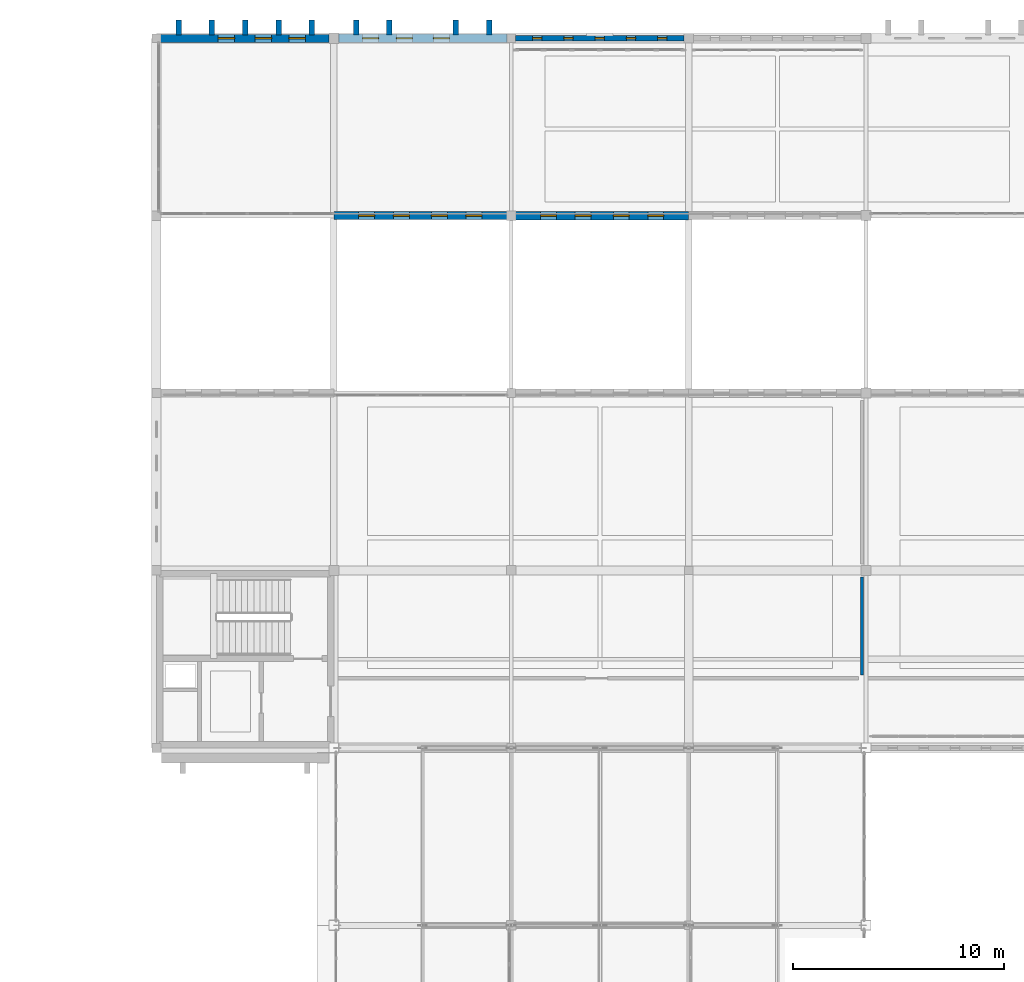
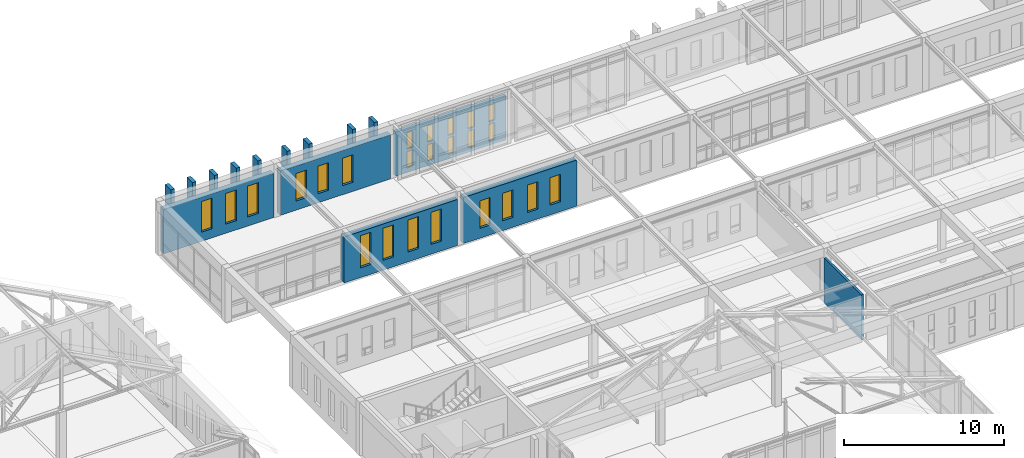
# One storey, part 168 of 192: 24 windows, 15 walls, 24 openings.
"""IFC4 building model written with IfcOpenShell, lengths in metres."""

from ifc_helpers import new_model, si_unit, direction, frame, frame_2d, origin, place, context, subcontext, project, spatial, rectangle, extrude, material, layer, layer_set, type_object, element, fill, save


model = new_model("IFC4")

# Units and contexts
model_context = context("Model", 3, precision=1e-05, world=origin(), true_north=direction((0.0, 1.0)))
body_context = subcontext(model_context, "Body", "Model", "MODEL_VIEW")
ifc_project = project(units=[si_unit("LENGTHUNIT", "METRE"), si_unit("AREAUNIT", "SQUARE_METRE"), si_unit("VOLUMEUNIT", "CUBIC_METRE"), si_unit("PLANEANGLEUNIT", "RADIAN"), si_unit("MASSUNIT", "GRAM", prefix="KILO")], contexts=[model_context])

# Site, building, storey
site_placement = place(None, origin())
site = spatial("IfcSite", under=ifc_project, at=site_placement, CompositionType="ELEMENT")
building_placement = place(site_placement, origin())
building = spatial("IfcBuilding", under=site, at=building_placement, Name="Kveldsbrygga Polytechnic", CompositionType="ELEMENT")
storey_placement = place(building_placement, frame((0.0, 0.0, 5.43994140625)))
storey = spatial("IfcBuildingStorey", under=building, at=storey_placement, Name="L01", CompositionType="ELEMENT", Elevation=5.43994140625)

# Wall, openings, windows
ifc_material_1 = material(Name="Fired clay brick masonry M10", Category="masonry")
ifc_layer_1 = layer(ifc_material_1, 0.3798828125)
ifc_layer_set_1 = layer_set([ifc_layer_1], Name="Fired clay brick masonry M10")
wall_type_1 = type_object("IfcWallType", Name="EW-BRICK-380", PredefinedType="SOLIDWALL", material=ifc_layer_set_1)
wall_1_placement = place(storey_placement, frame((42.195068359375, 117.60009765625, 0.0), z_axis=(0.0, 0.0, 1.0), x_axis=(1.0, 0.0, 0.0)))
wall_1 = element("IfcWall", 1, at=wall_1_placement, inside=storey, type_object=wall_type_1, Name="Exterior Brick Wall EW-L01-X-05-14", PredefinedType="SOLIDWALL", context=body_context, shape_type="SweptSolid", body=[
    extrude(rectangle(XDim=7.97998046875, YDim=0.3798828125, at=frame_2d((3.989990234375, 0.0))), origin(), (0.0, 0.0, 1.0), 3.380126953125),
])
opening_1_placement = place(wall_1_placement, frame((2.72216796875, 0.0, 0.699951171875)))
opening_1 = element("IfcOpeningElement", 2, at=opening_1_placement, cuts=wall_1, Name="Opening W-08", PredefinedType="OPENING", context=body_context, shape_type="SweptSolid", body=[
    extrude(rectangle(XDim=0.780029296875, YDim=2.35009765625, at=frame_2d((0.39013671875, 1.175048828125))), frame((0.0, 0.199951171875, 0.0), z_axis=(0.0, -1.0, 0.0), x_axis=(1.0, 0.0, 0.0)), (0.0, 0.0, 1.0), 0.39990234375),
])
opening_2_placement = place(wall_1_placement, frame((4.477783203125, 0.0, 0.699951171875)))
opening_2 = element("IfcOpeningElement", 3, at=opening_2_placement, cuts=wall_1, Name="Opening W-08", PredefinedType="OPENING", context=body_context, shape_type="SweptSolid", body=[
    extrude(rectangle(XDim=0.780029296875, YDim=2.35009765625, at=frame_2d((0.39013671875, 1.175048828125))), frame((0.0, 0.199951171875, 0.0), z_axis=(0.0, -1.0, 0.0), x_axis=(1.0, 0.0, 0.0)), (0.0, 0.0, 1.0), 0.39990234375),
])
opening_3_placement = place(wall_1_placement, frame((6.07373046875, 0.0, 0.699951171875)))
opening_3 = element("IfcOpeningElement", 4, at=opening_3_placement, cuts=wall_1, Name="Opening W-08", PredefinedType="OPENING", context=body_context, shape_type="SweptSolid", body=[
    extrude(rectangle(XDim=0.780029296875, YDim=2.35009765625, at=frame_2d((0.39013671875, 1.175048828125))), frame((0.0, 0.199951171875, 0.0), z_axis=(0.0, -1.0, 0.0), x_axis=(1.0, 0.0, 0.0)), (0.0, 0.0, 1.0), 0.39990234375),
])
ifc_material_2 = material(Name="Insulated triple low-E glass", Category="glass")
window_type_1 = type_object("IfcWindowType", Name="WN-LANC-078x235", PartitioningType="DOUBLE_PANEL_VERTICAL", PredefinedType="WINDOW", material=ifc_material_2)
window_1_placement = place(opening_1_placement, origin())
window_1 = element("IfcWindow", 5, at=window_1_placement, inside=storey, type_object=window_type_1, Name="Gothic Lancet Window WIN-L01-X-05-14-2", OverallHeight=2.35009765625, OverallWidth=0.780029296875, PartitioningType="DOUBLE_PANEL_VERTICAL", PredefinedType="WINDOW", context=body_context, shape_type="SweptSolid", body=[
    extrude(rectangle(XDim=0.780029296875, YDim=2.35009765625, at=frame_2d((0.39013671875, 1.175048828125))), frame((0.0, 0.030029296875, 0.0), z_axis=(0.0, -1.0, 0.0), x_axis=(1.0, 0.0, 0.0)), (0.0, 0.0, 1.0), 0.06005859375),
])
fill(opening_1, window_1)
window_2_placement = place(opening_2_placement, origin())
window_2 = element("IfcWindow", 6, at=window_2_placement, inside=storey, type_object=window_type_1, Name="Gothic Lancet Window WIN-L01-X-05-14-3", OverallHeight=2.35009765625, OverallWidth=0.780029296875, PartitioningType="DOUBLE_PANEL_VERTICAL", PredefinedType="WINDOW", context=body_context, shape_type="SweptSolid", body=[
    extrude(rectangle(XDim=0.780029296875, YDim=2.35009765625, at=frame_2d((0.39013671875, 1.175048828125))), frame((0.0, 0.030029296875, 0.0), z_axis=(0.0, -1.0, 0.0), x_axis=(1.0, 0.0, 0.0)), (0.0, 0.0, 1.0), 0.06005859375),
])
fill(opening_2, window_2)
window_3_placement = place(opening_3_placement, origin())
window_3 = element("IfcWindow", 7, at=window_3_placement, inside=storey, type_object=window_type_1, Name="Gothic Lancet Window WIN-L01-X-05-14-4", OverallHeight=2.35009765625, OverallWidth=0.780029296875, PartitioningType="DOUBLE_PANEL_VERTICAL", PredefinedType="WINDOW", context=body_context, shape_type="SweptSolid", body=[
    extrude(rectangle(XDim=0.780029296875, YDim=2.35009765625, at=frame_2d((0.39013671875, 1.175048828125))), frame((0.0, 0.030029296875, 0.0), z_axis=(0.0, -1.0, 0.0), x_axis=(1.0, 0.0, 0.0)), (0.0, 0.0, 1.0), 0.06005859375),
])
fill(opening_3, window_3)

wall_2_placement = place(storey_placement, frame((50.39990234375, 109.199951171875, 0.0), z_axis=(0.0, 0.0, 1.0), x_axis=(1.0, 0.0, 0.0)))
wall_2 = element("IfcWall", 8, at=wall_2_placement, inside=storey, type_object=wall_type_1, Name="Exterior Brick Wall EW-L01-X-06-13", PredefinedType="SOLIDWALL", context=body_context, shape_type="SweptSolid", body=[
    extrude(rectangle(XDim=8.190185546875, YDim=0.3798828125, at=frame_2d((4.09521484375, 0.0))), origin(), (0.0, 0.0, 1.0), 3.52001953125),
])
opening_4_placement = place(wall_2_placement, frame((1.176025390625, 0.0, 0.75)))
opening_4 = element("IfcOpeningElement", 9, at=opening_4_placement, cuts=wall_2, Name="Opening W-06", PredefinedType="OPENING", context=body_context, shape_type="SweptSolid", body=[
    extrude(rectangle(XDim=0.760009765625, YDim=2.449951171875, at=frame_2d((0.3798828125, 1.22509765625))), frame((0.0, 0.199951171875, 0.0), z_axis=(0.0, -1.0, 0.0), x_axis=(1.0, 0.0, 0.0)), (0.0, 0.0, 1.0), 0.39990234375),
])
opening_5_placement = place(wall_2_placement, frame((2.814208984375, 0.0, 0.75)))
opening_5 = element("IfcOpeningElement", 10, at=opening_5_placement, cuts=wall_2, Name="Opening W-06", PredefinedType="OPENING", context=body_context, shape_type="SweptSolid", body=[
    extrude(rectangle(XDim=0.760009765625, YDim=2.449951171875, at=frame_2d((0.3798828125, 1.22509765625))), frame((0.0, 0.199951171875, 0.0), z_axis=(0.0, -1.0, 0.0), x_axis=(1.0, 0.0, 0.0)), (0.0, 0.0, 1.0), 0.39990234375),
])
opening_6_placement = place(wall_2_placement, frame((4.615966796875, 0.0, 0.75)))
opening_6 = element("IfcOpeningElement", 11, at=opening_6_placement, cuts=wall_2, Name="Opening W-06", PredefinedType="OPENING", context=body_context, shape_type="SweptSolid", body=[
    extrude(rectangle(XDim=0.760009765625, YDim=2.449951171875, at=frame_2d((0.3798828125, 1.22509765625))), frame((0.0, 0.199951171875, 0.0), z_axis=(0.0, -1.0, 0.0), x_axis=(1.0, 0.0, 0.0)), (0.0, 0.0, 1.0), 0.39990234375),
])
opening_7_placement = place(wall_2_placement, frame((6.25390625, 0.0, 0.75)))
opening_7 = element("IfcOpeningElement", 12, at=opening_7_placement, cuts=wall_2, Name="Opening W-06", PredefinedType="OPENING", context=body_context, shape_type="SweptSolid", body=[
    extrude(rectangle(XDim=0.760009765625, YDim=2.449951171875, at=frame_2d((0.3798828125, 1.22509765625))), frame((0.0, 0.199951171875, 0.0), z_axis=(0.0, -1.0, 0.0), x_axis=(1.0, 0.0, 0.0)), (0.0, 0.0, 1.0), 0.39990234375),
])
window_type_2 = type_object("IfcWindowType", Name="WN-LANC-076x245", PartitioningType="DOUBLE_PANEL_VERTICAL", PredefinedType="WINDOW", material=ifc_material_2)
window_4_placement = place(opening_4_placement, origin())
window_4 = element("IfcWindow", 13, at=window_4_placement, inside=storey, type_object=window_type_2, Name="Gothic Lancet Window WIN-L01-X-06-13-1", OverallHeight=2.449951171875, OverallWidth=0.760009765625, PartitioningType="DOUBLE_PANEL_VERTICAL", PredefinedType="WINDOW", context=body_context, shape_type="SweptSolid", body=[
    extrude(rectangle(XDim=0.760009765625, YDim=2.449951171875, at=frame_2d((0.3798828125, 1.22509765625))), frame((0.0, 0.030029296875, 0.0), z_axis=(0.0, -1.0, 0.0), x_axis=(1.0, 0.0, 0.0)), (0.0, 0.0, 1.0), 0.06005859375),
])
fill(opening_4, window_4)
window_5_placement = place(opening_5_placement, origin())
window_5 = element("IfcWindow", 14, at=window_5_placement, inside=storey, type_object=window_type_2, Name="Gothic Lancet Window WIN-L01-X-06-13-2", OverallHeight=2.449951171875, OverallWidth=0.760009765625, PartitioningType="DOUBLE_PANEL_VERTICAL", PredefinedType="WINDOW", context=body_context, shape_type="SweptSolid", body=[
    extrude(rectangle(XDim=0.760009765625, YDim=2.449951171875, at=frame_2d((0.3798828125, 1.22509765625))), frame((0.0, 0.030029296875, 0.0), z_axis=(0.0, -1.0, 0.0), x_axis=(1.0, 0.0, 0.0)), (0.0, 0.0, 1.0), 0.06005859375),
])
fill(opening_5, window_5)
window_6_placement = place(opening_6_placement, origin())
window_6 = element("IfcWindow", 15, at=window_6_placement, inside=storey, type_object=window_type_2, Name="Gothic Lancet Window WIN-L01-X-06-13-3", OverallHeight=2.449951171875, OverallWidth=0.760009765625, PartitioningType="DOUBLE_PANEL_VERTICAL", PredefinedType="WINDOW", context=body_context, shape_type="SweptSolid", body=[
    extrude(rectangle(XDim=0.760009765625, YDim=2.449951171875, at=frame_2d((0.3798828125, 1.22509765625))), frame((0.0, 0.030029296875, 0.0), z_axis=(0.0, -1.0, 0.0), x_axis=(1.0, 0.0, 0.0)), (0.0, 0.0, 1.0), 0.06005859375),
])
fill(opening_6, window_6)
window_7_placement = place(opening_7_placement, origin())
window_7 = element("IfcWindow", 16, at=window_7_placement, inside=storey, type_object=window_type_2, Name="Gothic Lancet Window WIN-L01-X-06-13-4", OverallHeight=2.449951171875, OverallWidth=0.760009765625, PartitioningType="DOUBLE_PANEL_VERTICAL", PredefinedType="WINDOW", context=body_context, shape_type="SweptSolid", body=[
    extrude(rectangle(XDim=0.760009765625, YDim=2.449951171875, at=frame_2d((0.3798828125, 1.22509765625))), frame((0.0, 0.030029296875, 0.0), z_axis=(0.0, -1.0, 0.0), x_axis=(1.0, 0.0, 0.0)), (0.0, 0.0, 1.0), 0.06005859375),
])
fill(opening_7, window_7)

ifc_layer_2 = layer(ifc_material_1, 0.39990234375)
ifc_layer_set_2 = layer_set([ifc_layer_2], Name="Fired clay brick masonry M10")
wall_type_2 = type_object("IfcWallType", Name="EW-BRICK-400", PredefinedType="SOLIDWALL", material=ifc_layer_set_2)
wall_3_placement = place(storey_placement, frame((50.625, 117.60009765625, 0.0), z_axis=(0.0, 0.0, 1.0), x_axis=(1.0, 0.0, 0.0)))
wall_3 = element("IfcWall", 17, at=wall_3_placement, inside=storey, type_object=wall_type_2, Name="Exterior Brick Wall EW-L01-X-06-14", PredefinedType="SOLIDWALL", context=body_context, shape_type="SweptSolid", body=[
    extrude(rectangle(XDim=7.97998046875, YDim=0.39990234375, at=frame_2d((3.989990234375, 0.0))), origin(), (0.0, 0.0, 1.0), 3.380126953125),
])
opening_8_placement = place(wall_3_placement, frame((1.14111328125, 0.0, 0.699951171875)))
opening_8 = element("IfcOpeningElement", 18, at=opening_8_placement, cuts=wall_3, Name="Opening W-27", PredefinedType="OPENING", context=body_context, shape_type="SweptSolid", body=[
    extrude(rectangle(XDim=0.75, YDim=2.10009765625, at=frame_2d((0.375, 1.050048828125))), frame((0.0, 0.2099609375, 0.0), z_axis=(0.0, -1.0, 0.0), x_axis=(1.0, 0.0, 0.0)), (0.0, 0.0, 1.0), 0.419921875),
])
opening_9_placement = place(wall_3_placement, frame((2.7373046875, 0.0, 0.699951171875)))
opening_9 = element("IfcOpeningElement", 19, at=opening_9_placement, cuts=wall_3, Name="Opening W-27", PredefinedType="OPENING", context=body_context, shape_type="SweptSolid", body=[
    extrude(rectangle(XDim=0.75, YDim=2.10009765625, at=frame_2d((0.375, 1.050048828125))), frame((0.0, 0.2099609375, 0.0), z_axis=(0.0, -1.0, 0.0), x_axis=(1.0, 0.0, 0.0)), (0.0, 0.0, 1.0), 0.419921875),
])
opening_10_placement = place(wall_3_placement, frame((4.492919921875, 0.0, 0.699951171875)))
opening_10 = element("IfcOpeningElement", 20, at=opening_10_placement, cuts=wall_3, Name="Opening W-27", PredefinedType="OPENING", context=body_context, shape_type="SweptSolid", body=[
    extrude(rectangle(XDim=0.75, YDim=2.10009765625, at=frame_2d((0.375, 1.050048828125))), frame((0.0, 0.2099609375, 0.0), z_axis=(0.0, -1.0, 0.0), x_axis=(1.0, 0.0, 0.0)), (0.0, 0.0, 1.0), 0.419921875),
])
window_type_3 = type_object("IfcWindowType", Name="WN-ATTIC-075x210", PartitioningType="DOUBLE_PANEL_VERTICAL", PredefinedType="WINDOW", material=ifc_material_2)
window_8_placement = place(opening_8_placement, origin())
window_8 = element("IfcWindow", 21, at=window_8_placement, inside=storey, type_object=window_type_3, Name="Gothic Lancet Window WIN-L01-X-06-14-1", OverallHeight=2.10009765625, OverallWidth=0.75, PartitioningType="DOUBLE_PANEL_VERTICAL", PredefinedType="WINDOW", context=body_context, shape_type="SweptSolid", body=[
    extrude(rectangle(XDim=0.75, YDim=2.10009765625, at=frame_2d((0.375, 1.050048828125))), frame((0.0, 0.030029296875, 0.0), z_axis=(0.0, -1.0, 0.0), x_axis=(1.0, 0.0, 0.0)), (0.0, 0.0, 1.0), 0.06005859375),
])
fill(opening_8, window_8)
window_9_placement = place(opening_9_placement, origin())
window_9 = element("IfcWindow", 22, at=window_9_placement, inside=storey, type_object=window_type_3, Name="Gothic Lancet Window WIN-L01-X-06-14-2", OverallHeight=2.10009765625, OverallWidth=0.75, PartitioningType="DOUBLE_PANEL_VERTICAL", PredefinedType="WINDOW", context=body_context, shape_type="SweptSolid", body=[
    extrude(rectangle(XDim=0.75, YDim=2.10009765625, at=frame_2d((0.375, 1.050048828125))), frame((0.0, 0.030029296875, 0.0), z_axis=(0.0, -1.0, 0.0), x_axis=(1.0, 0.0, 0.0)), (0.0, 0.0, 1.0), 0.06005859375),
])
fill(opening_9, window_9)
window_10_placement = place(opening_10_placement, origin())
window_10 = element("IfcWindow", 23, at=window_10_placement, inside=storey, type_object=window_type_3, Name="Gothic Lancet Window WIN-L01-X-06-14-3", OverallHeight=2.10009765625, OverallWidth=0.75, PartitioningType="DOUBLE_PANEL_VERTICAL", PredefinedType="WINDOW", context=body_context, shape_type="SweptSolid", body=[
    extrude(rectangle(XDim=0.75, YDim=2.10009765625, at=frame_2d((0.375, 1.050048828125))), frame((0.0, 0.030029296875, 0.0), z_axis=(0.0, -1.0, 0.0), x_axis=(1.0, 0.0, 0.0)), (0.0, 0.0, 1.0), 0.06005859375),
])
fill(opening_10, window_10)

wall_4_placement = place(storey_placement, frame((59.010009765625, 109.199951171875, 0.0), z_axis=(0.0, 0.0, 1.0), x_axis=(1.0, 0.0, 0.0)))
wall_4 = element("IfcWall", 24, at=wall_4_placement, inside=storey, type_object=wall_type_2, Name="Exterior Brick Wall EW-L01-X-07-13", PredefinedType="SOLIDWALL", context=body_context, shape_type="SweptSolid", body=[
    extrude(rectangle(XDim=8.18994140625, YDim=0.39990234375, at=frame_2d((4.094970703125, 0.0))), origin(), (0.0, 0.0, 1.0), 3.52001953125),
])
opening_11_placement = place(wall_4_placement, frame((1.18115234375, 0.0, 0.75)))
opening_11 = element("IfcOpeningElement", 25, at=opening_11_placement, cuts=wall_4, Name="Opening W-27", PredefinedType="OPENING", context=body_context, shape_type="SweptSolid", body=[
    extrude(rectangle(XDim=0.75, YDim=2.10009765625, at=frame_2d((0.375, 1.050048828125))), frame((0.0, 0.2099609375, 0.0), z_axis=(0.0, -1.0, 0.0), x_axis=(1.0, 0.0, 0.0)), (0.0, 0.0, 1.0), 0.419921875),
])
opening_12_placement = place(wall_4_placement, frame((2.819091796875, 0.0, 0.75)))
opening_12 = element("IfcOpeningElement", 26, at=opening_12_placement, cuts=wall_4, Name="Opening W-27", PredefinedType="OPENING", context=body_context, shape_type="SweptSolid", body=[
    extrude(rectangle(XDim=0.75, YDim=2.10009765625, at=frame_2d((0.375, 1.050048828125))), frame((0.0, 0.2099609375, 0.0), z_axis=(0.0, -1.0, 0.0), x_axis=(1.0, 0.0, 0.0)), (0.0, 0.0, 1.0), 0.419921875),
])
opening_13_placement = place(wall_4_placement, frame((4.620849609375, 0.0, 0.75)))
opening_13 = element("IfcOpeningElement", 27, at=opening_13_placement, cuts=wall_4, Name="Opening W-27", PredefinedType="OPENING", context=body_context, shape_type="SweptSolid", body=[
    extrude(rectangle(XDim=0.75, YDim=2.10009765625, at=frame_2d((0.375, 1.050048828125))), frame((0.0, 0.2099609375, 0.0), z_axis=(0.0, -1.0, 0.0), x_axis=(1.0, 0.0, 0.0)), (0.0, 0.0, 1.0), 0.419921875),
])
opening_14_placement = place(wall_4_placement, frame((6.2587890625, 0.0, 0.75)))
opening_14 = element("IfcOpeningElement", 28, at=opening_14_placement, cuts=wall_4, Name="Opening W-27", PredefinedType="OPENING", context=body_context, shape_type="SweptSolid", body=[
    extrude(rectangle(XDim=0.75, YDim=2.10009765625, at=frame_2d((0.375, 1.050048828125))), frame((0.0, 0.2099609375, 0.0), z_axis=(0.0, -1.0, 0.0), x_axis=(1.0, 0.0, 0.0)), (0.0, 0.0, 1.0), 0.419921875),
])
window_11_placement = place(opening_11_placement, origin())
window_11 = element("IfcWindow", 29, at=window_11_placement, inside=storey, type_object=window_type_3, Name="Gothic Lancet Window WIN-L01-X-07-13-1", OverallHeight=2.10009765625, OverallWidth=0.75, PartitioningType="DOUBLE_PANEL_VERTICAL", PredefinedType="WINDOW", context=body_context, shape_type="SweptSolid", body=[
    extrude(rectangle(XDim=0.75, YDim=2.10009765625, at=frame_2d((0.375, 1.050048828125))), frame((0.0, 0.030029296875, 0.0), z_axis=(0.0, -1.0, 0.0), x_axis=(1.0, 0.0, 0.0)), (0.0, 0.0, 1.0), 0.06005859375),
])
fill(opening_11, window_11)
window_12_placement = place(opening_12_placement, origin())
window_12 = element("IfcWindow", 30, at=window_12_placement, inside=storey, type_object=window_type_3, Name="Gothic Lancet Window WIN-L01-X-07-13-2", OverallHeight=2.10009765625, OverallWidth=0.75, PartitioningType="DOUBLE_PANEL_VERTICAL", PredefinedType="WINDOW", context=body_context, shape_type="SweptSolid", body=[
    extrude(rectangle(XDim=0.75, YDim=2.10009765625, at=frame_2d((0.375, 1.050048828125))), frame((0.0, 0.030029296875, 0.0), z_axis=(0.0, -1.0, 0.0), x_axis=(1.0, 0.0, 0.0)), (0.0, 0.0, 1.0), 0.06005859375),
])
fill(opening_12, window_12)
window_13_placement = place(opening_13_placement, origin())
window_13 = element("IfcWindow", 31, at=window_13_placement, inside=storey, type_object=window_type_3, Name="Gothic Lancet Window WIN-L01-X-07-13-3", OverallHeight=2.10009765625, OverallWidth=0.75, PartitioningType="DOUBLE_PANEL_VERTICAL", PredefinedType="WINDOW", context=body_context, shape_type="SweptSolid", body=[
    extrude(rectangle(XDim=0.75, YDim=2.10009765625, at=frame_2d((0.375, 1.050048828125))), frame((0.0, 0.030029296875, 0.0), z_axis=(0.0, -1.0, 0.0), x_axis=(1.0, 0.0, 0.0)), (0.0, 0.0, 1.0), 0.06005859375),
])
fill(opening_13, window_13)
window_14_placement = place(opening_14_placement, origin())
window_14 = element("IfcWindow", 32, at=window_14_placement, inside=storey, type_object=window_type_3, Name="Gothic Lancet Window WIN-L01-X-07-13-4", OverallHeight=2.10009765625, OverallWidth=0.75, PartitioningType="DOUBLE_PANEL_VERTICAL", PredefinedType="WINDOW", context=body_context, shape_type="SweptSolid", body=[
    extrude(rectangle(XDim=0.75, YDim=2.10009765625, at=frame_2d((0.375, 1.050048828125))), frame((0.0, 0.030029296875, 0.0), z_axis=(0.0, -1.0, 0.0), x_axis=(1.0, 0.0, 0.0)), (0.0, 0.0, 1.0), 0.06005859375),
])
fill(opening_14, window_14)

# Walls
ifc_layer_3 = layer(ifc_material_1, 0.260009765625)
ifc_layer_set_3 = layer_set([ifc_layer_3], Name="Fired clay brick masonry M10")
wall_type_3 = type_object("IfcWallType", Name="EW-BUTT-260", PredefinedType="SOLIDWALL", material=ifc_layer_set_3)
for number, where, z_axis, x_axis, name in (
    (33, (43.050048828125, 117.764892578125, 0.0), (0.0, 0.0, 1.0), (0.0, 1.0, 0.0), "Gothic Brick Buttress Pier BUTT-L01-X-05-14-1"),
    (34, (44.6201171875, 117.764892578125, 0.0), (0.0, 0.0, 1.0), (0.0, 1.0, 0.0), "Gothic Brick Buttress Pier BUTT-L01-X-05-14-2"),
    (35, (46.199951171875, 117.764892578125, 0.0), (0.0, 0.0, 1.0), (0.0, 1.0, 0.0), "Gothic Brick Buttress Pier BUTT-L01-X-05-14-3"),
    (36, (47.780029296875, 117.764892578125, 0.0), (0.0, 0.0, 1.0), (0.0, 1.0, 0.0), "Gothic Brick Buttress Pier BUTT-L01-X-05-14-4"),
    (37, (49.35009765625, 117.764892578125, 0.0), (0.0, 0.0, 1.0), (0.0, 1.0, 0.0), "Gothic Brick Buttress Pier BUTT-L01-X-05-14-5"),
    (38, (51.449951171875, 117.764892578125, 0.0), (0.0, 0.0, 1.0), (0.0, 1.0, 0.0), "Gothic Brick Buttress Pier BUTT-L01-X-06-14-1"),
    (39, (53.02001953125, 117.764892578125, 0.0), (0.0, 0.0, 1.0), (0.0, 1.0, 0.0), "Gothic Brick Buttress Pier BUTT-L01-X-06-14-2"),
    (40, (56.179931640625, 117.764892578125, 0.0), (0.0, 0.0, 1.0), (0.0, 1.0, 0.0), "Gothic Brick Buttress Pier BUTT-L01-X-06-14-4"),
    (41, (57.75, 117.764892578125, 0.0), (0.0, 0.0, 1.0), (0.0, 1.0, 0.0), "Gothic Brick Buttress Pier BUTT-L01-X-06-14-5"),
):
    element("IfcWall", number, at=place(storey_placement, frame(where, z_axis=z_axis, x_axis=x_axis)), inside=storey, type_object=wall_type_3, Name=name, PredefinedType="SOLIDWALL", context=body_context, shape_type="SweptSolid", body=[
        extrude(rectangle(XDim=0.7001953125, YDim=0.260009765625, at=frame_2d((0.35009765625, 0.0))), origin(), (0.0, 0.0, 1.0), 4.420166015625),
    ])

# Wall, openings, windows
ifc_layer_4 = layer(ifc_material_1, 0.239990234375)
ifc_layer_set_4 = layer_set([ifc_layer_4], Name="Fired clay brick masonry M10")
wall_type_4 = type_object("IfcWallType", Name="EW-SCRN-240", PredefinedType="SOLIDWALL", material=ifc_layer_set_4)
wall_5_placement = place(storey_placement, frame((58.9951171875, 117.60009765625, 0.0), z_axis=(0.0, 0.0, 1.0), x_axis=(1.0, 0.0, 0.0)))
wall_5 = element("IfcWall", 42, at=wall_5_placement, inside=storey, type_object=wall_type_4, Name="Perforated Brick Corridor Screen Wall SCRW-L01-X-07-14", PredefinedType="SOLIDWALL", context=body_context, shape_type="SweptSolid", body=[
    extrude(rectangle(XDim=7.994873046875, YDim=0.239990234375, at=frame_2d((3.99755859375, 0.0))), origin(), (0.0, 0.0, 1.0), 3.380126953125),
])
opening_15_placement = place(wall_5_placement, frame((0.819580078125, 0.0, 0.35009765625)))
opening_15 = element("IfcOpeningElement", 43, at=opening_15_placement, cuts=wall_5, Name="Opening W-48", PredefinedType="OPENING", context=body_context, shape_type="SweptSolid", body=[
    extrude(rectangle(XDim=0.43994140625, YDim=1.25, at=frame_2d((0.219970703125, 0.625))), frame((0.0, 0.1298828125, 0.0), z_axis=(0.0, -1.0, 0.0), x_axis=(1.0, 0.0, 0.0)), (0.0, 0.0, 1.0), 0.260009765625),
])
opening_16_placement = place(wall_5_placement, frame((2.298583984375, 0.0, 0.35009765625)))
opening_16 = element("IfcOpeningElement", 44, at=opening_16_placement, cuts=wall_5, Name="Opening W-48", PredefinedType="OPENING", context=body_context, shape_type="SweptSolid", body=[
    extrude(rectangle(XDim=0.43994140625, YDim=1.25, at=frame_2d((0.219970703125, 0.625))), frame((0.0, 0.1298828125, 0.0), z_axis=(0.0, -1.0, 0.0), x_axis=(1.0, 0.0, 0.0)), (0.0, 0.0, 1.0), 0.260009765625),
])
opening_17_placement = place(wall_5_placement, frame((3.777587890625, 0.0, 0.35009765625)))
opening_17 = element("IfcOpeningElement", 45, at=opening_17_placement, cuts=wall_5, Name="Opening W-48", PredefinedType="OPENING", context=body_context, shape_type="SweptSolid", body=[
    extrude(rectangle(XDim=0.43994140625, YDim=1.25, at=frame_2d((0.219970703125, 0.625))), frame((0.0, 0.1298828125, 0.0), z_axis=(0.0, -1.0, 0.0), x_axis=(1.0, 0.0, 0.0)), (0.0, 0.0, 1.0), 0.260009765625),
])
opening_18_placement = place(wall_5_placement, frame((5.256591796875, 0.0, 0.35009765625)))
opening_18 = element("IfcOpeningElement", 46, at=opening_18_placement, cuts=wall_5, Name="Opening W-48", PredefinedType="OPENING", context=body_context, shape_type="SweptSolid", body=[
    extrude(rectangle(XDim=0.43994140625, YDim=1.25, at=frame_2d((0.219970703125, 0.625))), frame((0.0, 0.1298828125, 0.0), z_axis=(0.0, -1.0, 0.0), x_axis=(1.0, 0.0, 0.0)), (0.0, 0.0, 1.0), 0.260009765625),
])
opening_19_placement = place(wall_5_placement, frame((6.735595703125, 0.0, 0.35009765625)))
opening_19 = element("IfcOpeningElement", 47, at=opening_19_placement, cuts=wall_5, Name="Opening W-48", PredefinedType="OPENING", context=body_context, shape_type="SweptSolid", body=[
    extrude(rectangle(XDim=0.43994140625, YDim=1.25, at=frame_2d((0.219970703125, 0.625))), frame((0.0, 0.1298828125, 0.0), z_axis=(0.0, -1.0, 0.0), x_axis=(1.0, 0.0, 0.0)), (0.0, 0.0, 1.0), 0.260009765625),
])
opening_20_placement = place(wall_5_placement, frame((0.819580078125, 0.0, 1.800048828125)))
opening_20 = element("IfcOpeningElement", 48, at=opening_20_placement, cuts=wall_5, Name="Opening W-48", PredefinedType="OPENING", context=body_context, shape_type="SweptSolid", body=[
    extrude(rectangle(XDim=0.43994140625, YDim=1.25, at=frame_2d((0.219970703125, 0.625))), frame((0.0, 0.1298828125, 0.0), z_axis=(0.0, -1.0, 0.0), x_axis=(1.0, 0.0, 0.0)), (0.0, 0.0, 1.0), 0.260009765625),
])
opening_21_placement = place(wall_5_placement, frame((2.298583984375, 0.0, 1.800048828125)))
opening_21 = element("IfcOpeningElement", 49, at=opening_21_placement, cuts=wall_5, Name="Opening W-48", PredefinedType="OPENING", context=body_context, shape_type="SweptSolid", body=[
    extrude(rectangle(XDim=0.43994140625, YDim=1.25, at=frame_2d((0.219970703125, 0.625))), frame((0.0, 0.1298828125, 0.0), z_axis=(0.0, -1.0, 0.0), x_axis=(1.0, 0.0, 0.0)), (0.0, 0.0, 1.0), 0.260009765625),
])
opening_22_placement = place(wall_5_placement, frame((3.777587890625, 0.0, 1.800048828125)))
opening_22 = element("IfcOpeningElement", 50, at=opening_22_placement, cuts=wall_5, Name="Opening W-48", PredefinedType="OPENING", context=body_context, shape_type="SweptSolid", body=[
    extrude(rectangle(XDim=0.43994140625, YDim=1.25, at=frame_2d((0.219970703125, 0.625))), frame((0.0, 0.1298828125, 0.0), z_axis=(0.0, -1.0, 0.0), x_axis=(1.0, 0.0, 0.0)), (0.0, 0.0, 1.0), 0.260009765625),
])
opening_23_placement = place(wall_5_placement, frame((5.256591796875, 0.0, 1.800048828125)))
opening_23 = element("IfcOpeningElement", 51, at=opening_23_placement, cuts=wall_5, Name="Opening W-48", PredefinedType="OPENING", context=body_context, shape_type="SweptSolid", body=[
    extrude(rectangle(XDim=0.43994140625, YDim=1.25, at=frame_2d((0.219970703125, 0.625))), frame((0.0, 0.1298828125, 0.0), z_axis=(0.0, -1.0, 0.0), x_axis=(1.0, 0.0, 0.0)), (0.0, 0.0, 1.0), 0.260009765625),
])
opening_24_placement = place(wall_5_placement, frame((6.735595703125, 0.0, 1.800048828125)))
opening_24 = element("IfcOpeningElement", 52, at=opening_24_placement, cuts=wall_5, Name="Opening W-48", PredefinedType="OPENING", context=body_context, shape_type="SweptSolid", body=[
    extrude(rectangle(XDim=0.43994140625, YDim=1.25, at=frame_2d((0.219970703125, 0.625))), frame((0.0, 0.1298828125, 0.0), z_axis=(0.0, -1.0, 0.0), x_axis=(1.0, 0.0, 0.0)), (0.0, 0.0, 1.0), 0.260009765625),
])
window_type_4 = type_object("IfcWindowType", Name="WN-SCRN-044x125", PartitioningType="SINGLE_PANEL", PredefinedType="WINDOW", material=ifc_material_2)
window_15_placement = place(opening_15_placement, origin())
window_15 = element("IfcWindow", 53, at=window_15_placement, inside=storey, type_object=window_type_4, Name="Perforated Screen Aperture L01-X-07-14-1", OverallHeight=1.25, OverallWidth=0.43994140625, PartitioningType="SINGLE_PANEL", PredefinedType="WINDOW", context=body_context, shape_type="SweptSolid", body=[
    extrude(rectangle(XDim=0.43994140625, YDim=1.25, at=frame_2d((0.219970703125, 0.625))), frame((0.0, 0.030029296875, 0.0), z_axis=(0.0, -1.0, 0.0), x_axis=(1.0, 0.0, 0.0)), (0.0, 0.0, 1.0), 0.06005859375),
])
fill(opening_15, window_15)
window_16_placement = place(opening_16_placement, origin())
window_16 = element("IfcWindow", 54, at=window_16_placement, inside=storey, type_object=window_type_4, Name="Perforated Screen Aperture L01-X-07-14-2", OverallHeight=1.25, OverallWidth=0.43994140625, PartitioningType="SINGLE_PANEL", PredefinedType="WINDOW", context=body_context, shape_type="SweptSolid", body=[
    extrude(rectangle(XDim=0.43994140625, YDim=1.25, at=frame_2d((0.219970703125, 0.625))), frame((0.0, 0.030029296875, 0.0), z_axis=(0.0, -1.0, 0.0), x_axis=(1.0, 0.0, 0.0)), (0.0, 0.0, 1.0), 0.06005859375),
])
fill(opening_16, window_16)
window_17_placement = place(opening_17_placement, origin())
window_17 = element("IfcWindow", 55, at=window_17_placement, inside=storey, type_object=window_type_4, Name="Perforated Screen Aperture L01-X-07-14-3", OverallHeight=1.25, OverallWidth=0.43994140625, PartitioningType="SINGLE_PANEL", PredefinedType="WINDOW", context=body_context, shape_type="SweptSolid", body=[
    extrude(rectangle(XDim=0.43994140625, YDim=1.25, at=frame_2d((0.219970703125, 0.625))), frame((0.0, 0.030029296875, 0.0), z_axis=(0.0, -1.0, 0.0), x_axis=(1.0, 0.0, 0.0)), (0.0, 0.0, 1.0), 0.06005859375),
])
fill(opening_17, window_17)
window_18_placement = place(opening_18_placement, origin())
window_18 = element("IfcWindow", 56, at=window_18_placement, inside=storey, type_object=window_type_4, Name="Perforated Screen Aperture L01-X-07-14-4", OverallHeight=1.25, OverallWidth=0.43994140625, PartitioningType="SINGLE_PANEL", PredefinedType="WINDOW", context=body_context, shape_type="SweptSolid", body=[
    extrude(rectangle(XDim=0.43994140625, YDim=1.25, at=frame_2d((0.219970703125, 0.625))), frame((0.0, 0.030029296875, 0.0), z_axis=(0.0, -1.0, 0.0), x_axis=(1.0, 0.0, 0.0)), (0.0, 0.0, 1.0), 0.06005859375),
])
fill(opening_18, window_18)
window_19_placement = place(opening_19_placement, origin())
window_19 = element("IfcWindow", 57, at=window_19_placement, inside=storey, type_object=window_type_4, Name="Perforated Screen Aperture L01-X-07-14-5", OverallHeight=1.25, OverallWidth=0.43994140625, PartitioningType="SINGLE_PANEL", PredefinedType="WINDOW", context=body_context, shape_type="SweptSolid", body=[
    extrude(rectangle(XDim=0.43994140625, YDim=1.25, at=frame_2d((0.219970703125, 0.625))), frame((0.0, 0.030029296875, 0.0), z_axis=(0.0, -1.0, 0.0), x_axis=(1.0, 0.0, 0.0)), (0.0, 0.0, 1.0), 0.06005859375),
])
fill(opening_19, window_19)
window_20_placement = place(opening_20_placement, origin())
window_20 = element("IfcWindow", 58, at=window_20_placement, inside=storey, type_object=window_type_4, Name="Perforated Screen Aperture L01-X-07-14-6", OverallHeight=1.25, OverallWidth=0.43994140625, PartitioningType="SINGLE_PANEL", PredefinedType="WINDOW", context=body_context, shape_type="SweptSolid", body=[
    extrude(rectangle(XDim=0.43994140625, YDim=1.25, at=frame_2d((0.219970703125, 0.625))), frame((0.0, 0.030029296875, 0.0), z_axis=(0.0, -1.0, 0.0), x_axis=(1.0, 0.0, 0.0)), (0.0, 0.0, 1.0), 0.06005859375),
])
fill(opening_20, window_20)
window_21_placement = place(opening_21_placement, origin())
window_21 = element("IfcWindow", 59, at=window_21_placement, inside=storey, type_object=window_type_4, Name="Perforated Screen Aperture L01-X-07-14-7", OverallHeight=1.25, OverallWidth=0.43994140625, PartitioningType="SINGLE_PANEL", PredefinedType="WINDOW", context=body_context, shape_type="SweptSolid", body=[
    extrude(rectangle(XDim=0.43994140625, YDim=1.25, at=frame_2d((0.219970703125, 0.625))), frame((0.0, 0.030029296875, 0.0), z_axis=(0.0, -1.0, 0.0), x_axis=(1.0, 0.0, 0.0)), (0.0, 0.0, 1.0), 0.06005859375),
])
fill(opening_21, window_21)
window_22_placement = place(opening_22_placement, origin())
window_22 = element("IfcWindow", 60, at=window_22_placement, inside=storey, type_object=window_type_4, Name="Perforated Screen Aperture L01-X-07-14-8", OverallHeight=1.25, OverallWidth=0.43994140625, PartitioningType="SINGLE_PANEL", PredefinedType="WINDOW", context=body_context, shape_type="SweptSolid", body=[
    extrude(rectangle(XDim=0.43994140625, YDim=1.25, at=frame_2d((0.219970703125, 0.625))), frame((0.0, 0.030029296875, 0.0), z_axis=(0.0, -1.0, 0.0), x_axis=(1.0, 0.0, 0.0)), (0.0, 0.0, 1.0), 0.06005859375),
])
fill(opening_22, window_22)
window_23_placement = place(opening_23_placement, origin())
window_23 = element("IfcWindow", 61, at=window_23_placement, inside=storey, type_object=window_type_4, Name="Perforated Screen Aperture L01-X-07-14-9", OverallHeight=1.25, OverallWidth=0.43994140625, PartitioningType="SINGLE_PANEL", PredefinedType="WINDOW", context=body_context, shape_type="SweptSolid", body=[
    extrude(rectangle(XDim=0.43994140625, YDim=1.25, at=frame_2d((0.219970703125, 0.625))), frame((0.0, 0.030029296875, 0.0), z_axis=(0.0, -1.0, 0.0), x_axis=(1.0, 0.0, 0.0)), (0.0, 0.0, 1.0), 0.06005859375),
])
fill(opening_23, window_23)
window_24_placement = place(opening_24_placement, origin())
window_24 = element("IfcWindow", 62, at=window_24_placement, inside=storey, type_object=window_type_4, Name="Perforated Screen Aperture L01-X-07-14-10", OverallHeight=1.25, OverallWidth=0.43994140625, PartitioningType="SINGLE_PANEL", PredefinedType="WINDOW", context=body_context, shape_type="SweptSolid", body=[
    extrude(rectangle(XDim=0.43994140625, YDim=1.25, at=frame_2d((0.219970703125, 0.625))), frame((0.0, 0.030029296875, 0.0), z_axis=(0.0, -1.0, 0.0), x_axis=(1.0, 0.0, 0.0)), (0.0, 0.0, 1.0), 0.06005859375),
])
fill(opening_24, window_24)

# Wall
ifc_material_3 = material(Name="Gypsum acoustic stud partition")
ifc_layer_5 = layer(ifc_material_3, 0.14990234375)
ifc_layer_set_5 = layer_set([ifc_layer_5], Name="Gypsum acoustic stud partition")
wall_type_5 = type_object("IfcWallType", Name="IW-SEM-150", PredefinedType="PARTITIONING", material=ifc_layer_set_5)
wall_6_placement = place(storey_placement, frame((75.39990234375, 87.449951171875, 0.0), z_axis=(0.0, 0.0, 1.0), x_axis=(0.0, 1.0, 0.0)))
element("IfcWall", 63, at=wall_6_placement, inside=storey, type_object=wall_type_5, Name="Partition Wall IW-SP-L01-SEM11-E1", PredefinedType="PARTITIONING", context=body_context, shape_type="SweptSolid", body=[
    extrude(rectangle(XDim=4.650146484375, YDim=0.14990234375, at=frame_2d((2.3251953125, 0.0))), origin(), (0.0, 0.0, 1.0), 3.43994140625),
])

save(model, "model.ifc")
